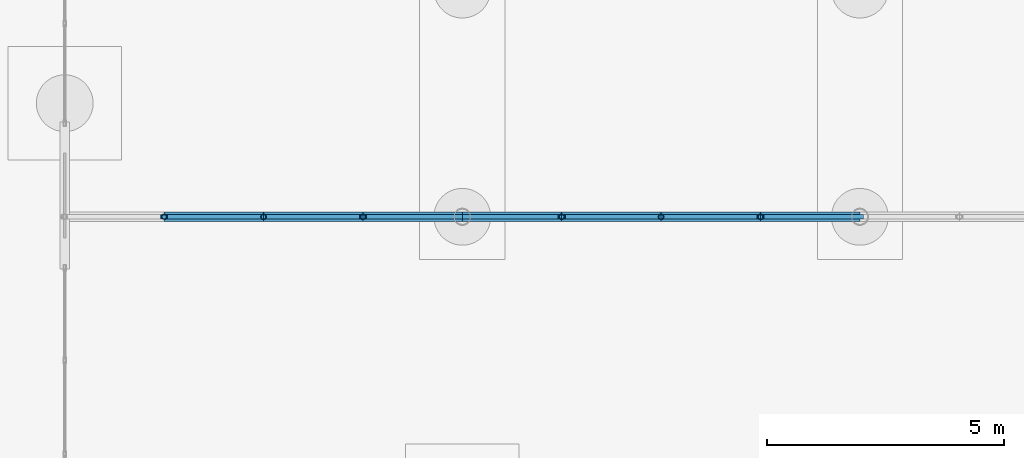
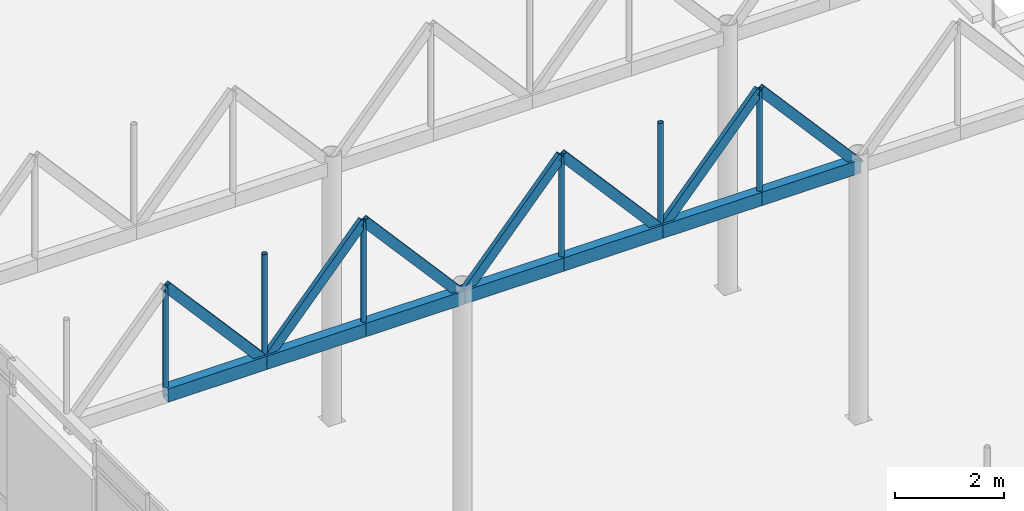
# One storey, part 118 of 212: 20 members.
"""IFC4 building model written with IfcOpenShell, lengths in metres."""

from ifc_helpers import new_model, si_unit, direction, frame, origin, origin_2d, place, context, subcontext, project, spatial, hollow_rectangle, hollow_circle, extrude, material, material_profile, profile_set, type_object, element, save


model = new_model("IFC4")

# Units and contexts
model_context = context("Model", 3, precision=1e-05, world=origin(), true_north=direction((0.0, 1.0)))
body_context = subcontext(model_context, "Body", "Model", "MODEL_VIEW")
ifc_project = project(units=[si_unit("LENGTHUNIT", "METRE"), si_unit("AREAUNIT", "SQUARE_METRE"), si_unit("VOLUMEUNIT", "CUBIC_METRE"), si_unit("PLANEANGLEUNIT", "RADIAN"), si_unit("MASSUNIT", "GRAM", prefix="KILO")], contexts=[model_context])

# Site, building, storey
site_placement = place(None, origin())
site = spatial("IfcSite", under=ifc_project, at=site_placement, CompositionType="ELEMENT")
building_placement = place(site_placement, origin())
building = spatial("IfcBuilding", under=site, at=building_placement, Name="Catenary Quay Ferry Terminal", CompositionType="ELEMENT")
storey_placement = place(building_placement, origin())
storey = spatial("IfcBuildingStorey", under=building, at=storey_placement, Name="L00", CompositionType="ELEMENT", Elevation=0.0)

# Members
ifc_material_1 = material(Name="Steel S355", Category="steel")
ifc_material_profile_1 = material_profile(ifc_material_1, hollow_rectangle(XDim=0.10009765625, YDim=0.199951171875, WallThickness=0.008056640625, at=origin_2d()), Name="RHS 200x100x8")
ifc_profile_set_1 = profile_set([ifc_material_profile_1], Name="Steel S355")
member_type_1 = type_object("IfcMemberType", Name="BR3 RHS 200x100x8", PredefinedType="BRACE", material=ifc_profile_set_1)
member_1_placement = place(storey_placement, frame((94.5, 90.0, 8.10009765625), z_axis=(0.65849918825, 0.0, -0.752581436839), x_axis=(0.0, 1.0, 0.0)))
element("IfcMember", 1, at=member_1_placement, inside=storey, type_object=member_type_1, Name="Bridge diagonal BB2S-D02", PredefinedType="BRACE", context=body_context, shape_type="SweptSolid", body=[
    extrude(hollow_rectangle(XDim=0.10009765625, YDim=0.199951171875, WallThickness=0.008056640625, at=origin_2d()), origin(), (0.0, 0.0, 1.0), 3.189208984375),
])
member_2_placement = place(storey_placement, frame((96.60009765625, 90.0, 5.699951171875), z_axis=(0.658455827614, 0.0, 0.752619374639), x_axis=(0.0, 1.0, 0.0)))
element("IfcMember", 2, at=member_2_placement, inside=storey, type_object=member_type_1, Name="Bridge diagonal BB2S-D03", PredefinedType="BRACE", context=body_context, shape_type="SweptSolid", body=[
    extrude(hollow_rectangle(XDim=0.10009765625, YDim=0.199951171875, WallThickness=0.008056640625, at=origin_2d()), origin(), (0.0, 0.0, 1.0), 3.18896484375),
])
member_3_placement = place(storey_placement, frame((98.699951171875, 90.0, 8.10009765625), z_axis=(0.65849918825, 0.0, -0.752581436839), x_axis=(0.0, 1.0, 0.0)))
element("IfcMember", 3, at=member_3_placement, inside=storey, type_object=member_type_1, Name="Bridge diagonal BB2S-D04", PredefinedType="BRACE", context=body_context, shape_type="SweptSolid", body=[
    extrude(hollow_rectangle(XDim=0.10009765625, YDim=0.199951171875, WallThickness=0.008056640625, at=origin_2d()), origin(), (0.0, 0.0, 1.0), 3.189208984375),
])
member_4_placement = place(storey_placement, frame((100.800048828125, 90.0, 5.699951171875), z_axis=(0.658455827614, 0.0, 0.752619374639), x_axis=(0.0, 1.0, 0.0)))
element("IfcMember", 4, at=member_4_placement, inside=storey, type_object=member_type_1, Name="Bridge diagonal BB2S-D05", PredefinedType="BRACE", context=body_context, shape_type="SweptSolid", body=[
    extrude(hollow_rectangle(XDim=0.10009765625, YDim=0.199951171875, WallThickness=0.008056640625, at=origin_2d()), origin(), (0.0, 0.0, 1.0), 3.18896484375),
])
for number, where, z_axis, x_axis, name in (
    (5, (102.89990234375, 90.0, 8.10009765625), (0.65849918825, 0.0, -0.752581436839), (0.0, 1.0, 0.0), "Bridge diagonal BB2S-D06"),
    (6, (105.0, 90.0, 5.699951171875), (0.65849918825, 0.0, 0.752581436839), (0.0, 1.0, 0.0), "Bridge diagonal BB2S-D07"),
):
    element("IfcMember", number, at=place(storey_placement, frame(where, z_axis=z_axis, x_axis=x_axis)), inside=storey, type_object=member_type_1, Name=name, PredefinedType="BRACE", context=body_context, shape_type="SweptSolid", body=[
        extrude(hollow_rectangle(XDim=0.10009765625, YDim=0.199951171875, WallThickness=0.008056640625, at=origin_2d()), origin(), (0.0, 0.0, 1.0), 3.189208984375),
    ])
member_5_placement = place(storey_placement, frame((107.10009765625, 90.0, 8.10009765625), z_axis=(0.658455827614, 0.0, -0.752619374639), x_axis=(0.0, 1.0, 0.0)))
element("IfcMember", 7, at=member_5_placement, inside=storey, type_object=member_type_1, Name="Bridge diagonal BB2S-D08", PredefinedType="BRACE", context=body_context, shape_type="SweptSolid", body=[
    extrude(hollow_rectangle(XDim=0.10009765625, YDim=0.199951171875, WallThickness=0.008056640625, at=origin_2d()), origin(), (0.0, 0.0, 1.0), 3.18896484375),
])
ifc_material_2 = material(Name="Steel S355", Category="steel")
ifc_material_profile_2 = material_profile(ifc_material_2, hollow_circle(Radius=0.05712890625, WallThickness=0.00634765625, at=origin_2d()), Name="CHS 114.3x6.3")
ifc_profile_set_2 = profile_set([ifc_material_profile_2], Name="Steel S355")
member_type_2 = type_object("IfcMemberType", Name="HG1 CHS 114.3x6.3", PredefinedType="POST", material=ifc_profile_set_2)
for number, where, z_axis, x_axis, name in (
    (8, (94.5, 90.0, 5.699951171875), (0.0, 0.0, 1.0), (1.0, 0.0, 0.0), "Bridge post BB2S-P02"),
    (9, (96.60009765625, 90.0, 5.699951171875), (0.0, 0.0, 1.0), (1.0, 0.0, 0.0), "Bridge post BB2S-P03"),
    (10, (98.699951171875, 90.0, 5.699951171875), (0.0, 0.0, 1.0), (1.0, 0.0, 0.0), "Bridge post BB2S-P04"),
    (11, (102.89990234375, 90.0, 5.699951171875), (0.0, 0.0, 1.0), (1.0, 0.0, 0.0), "Bridge post BB2S-P06"),
    (12, (105.0, 90.0, 5.699951171875), (0.0, 0.0, 1.0), (1.0, 0.0, 0.0), "Bridge post BB2S-P07"),
    (13, (107.10009765625, 90.0, 5.699951171875), (0.0, 0.0, 1.0), (1.0, 0.0, 0.0), "Bridge post BB2S-P08"),
):
    element("IfcMember", number, at=place(storey_placement, frame(where, z_axis=z_axis, x_axis=x_axis)), inside=storey, type_object=member_type_2, Name=name, PredefinedType="POST", context=body_context, shape_type="SweptSolid", body=[
        extrude(hollow_circle(Radius=0.05712890625, WallThickness=0.00634765625, at=origin_2d()), origin(), (0.0, 0.0, 1.0), 2.400146484375),
    ])
ifc_material_3 = material(Name="Steel S355", Category="steel")
ifc_material_profile_3 = material_profile(ifc_material_3, hollow_rectangle(XDim=0.199951171875, YDim=0.300048828125, WallThickness=0.012451171875, at=origin_2d()), Name="RHS 300x200x12.5")
ifc_profile_set_3 = profile_set([ifc_material_profile_3], Name="Steel S355")
member_type_3 = type_object("IfcMemberType", Name="TC1 RHS 300x200x12.5", PredefinedType="CHORD", material=ifc_profile_set_3)
member_6_placement = place(storey_placement, frame((94.5, 90.0, 5.699951171875), z_axis=(1.0, 0.0, 0.0), x_axis=(0.0, 1.0, 0.0)))
element("IfcMember", 14, at=member_6_placement, inside=storey, type_object=member_type_3, Name="Bridge bottom chord BB2S-BC02", PredefinedType="CHORD", context=body_context, shape_type="SweptSolid", body=[
    extrude(hollow_rectangle(XDim=0.199951171875, YDim=0.300048828125, WallThickness=0.012451171875, at=origin_2d()), origin(), (0.0, 0.0, 1.0), 2.10009765625),
])
member_7_placement = place(storey_placement, frame((96.60009765625, 90.0, 5.699951171875), z_axis=(1.0, 0.0, 0.0), x_axis=(0.0, 1.0, 0.0)))
element("IfcMember", 15, at=member_7_placement, inside=storey, type_object=member_type_3, Name="Bridge bottom chord BB2S-BC03", PredefinedType="CHORD", context=body_context, shape_type="SweptSolid", body=[
    extrude(hollow_rectangle(XDim=0.199951171875, YDim=0.300048828125, WallThickness=0.012451171875, at=origin_2d()), origin(), (0.0, 0.0, 1.0), 2.099853515625),
])
member_8_placement = place(storey_placement, frame((98.699951171875, 90.0, 5.699951171875), z_axis=(1.0, 0.0, 0.0), x_axis=(0.0, 1.0, 0.0)))
element("IfcMember", 16, at=member_8_placement, inside=storey, type_object=member_type_3, Name="Bridge bottom chord BB2S-BC04", PredefinedType="CHORD", context=body_context, shape_type="SweptSolid", body=[
    extrude(hollow_rectangle(XDim=0.199951171875, YDim=0.300048828125, WallThickness=0.012451171875, at=origin_2d()), origin(), (0.0, 0.0, 1.0), 2.10009765625),
])
member_9_placement = place(storey_placement, frame((100.800048828125, 90.0, 5.699951171875), z_axis=(1.0, 0.0, 0.0), x_axis=(0.0, 1.0, 0.0)))
element("IfcMember", 17, at=member_9_placement, inside=storey, type_object=member_type_3, Name="Bridge bottom chord BB2S-BC05", PredefinedType="CHORD", context=body_context, shape_type="SweptSolid", body=[
    extrude(hollow_rectangle(XDim=0.199951171875, YDim=0.300048828125, WallThickness=0.012451171875, at=origin_2d()), origin(), (0.0, 0.0, 1.0), 2.099853515625),
])
for number, where, z_axis, x_axis, name in (
    (18, (102.89990234375, 90.0, 5.699951171875), (1.0, 0.0, 0.0), (0.0, 1.0, 0.0), "Bridge bottom chord BB2S-BC06"),
    (19, (105.0, 90.0, 5.699951171875), (1.0, 0.0, 0.0), (0.0, 1.0, 0.0), "Bridge bottom chord BB2S-BC07"),
):
    element("IfcMember", number, at=place(storey_placement, frame(where, z_axis=z_axis, x_axis=x_axis)), inside=storey, type_object=member_type_3, Name=name, PredefinedType="CHORD", context=body_context, shape_type="SweptSolid", body=[
        extrude(hollow_rectangle(XDim=0.199951171875, YDim=0.300048828125, WallThickness=0.012451171875, at=origin_2d()), origin(), (0.0, 0.0, 1.0), 2.10009765625),
    ])
member_10_placement = place(storey_placement, frame((107.10009765625, 90.0, 5.699951171875), z_axis=(1.0, 0.0, 0.0), x_axis=(0.0, 1.0, 0.0)))
element("IfcMember", 20, at=member_10_placement, inside=storey, type_object=member_type_3, Name="Bridge bottom chord BB2S-BC08", PredefinedType="CHORD", context=body_context, shape_type="SweptSolid", body=[
    extrude(hollow_rectangle(XDim=0.199951171875, YDim=0.300048828125, WallThickness=0.012451171875, at=origin_2d()), origin(), (0.0, 0.0, 1.0), 2.099853515625),
])

save(model, "model.ifc")
